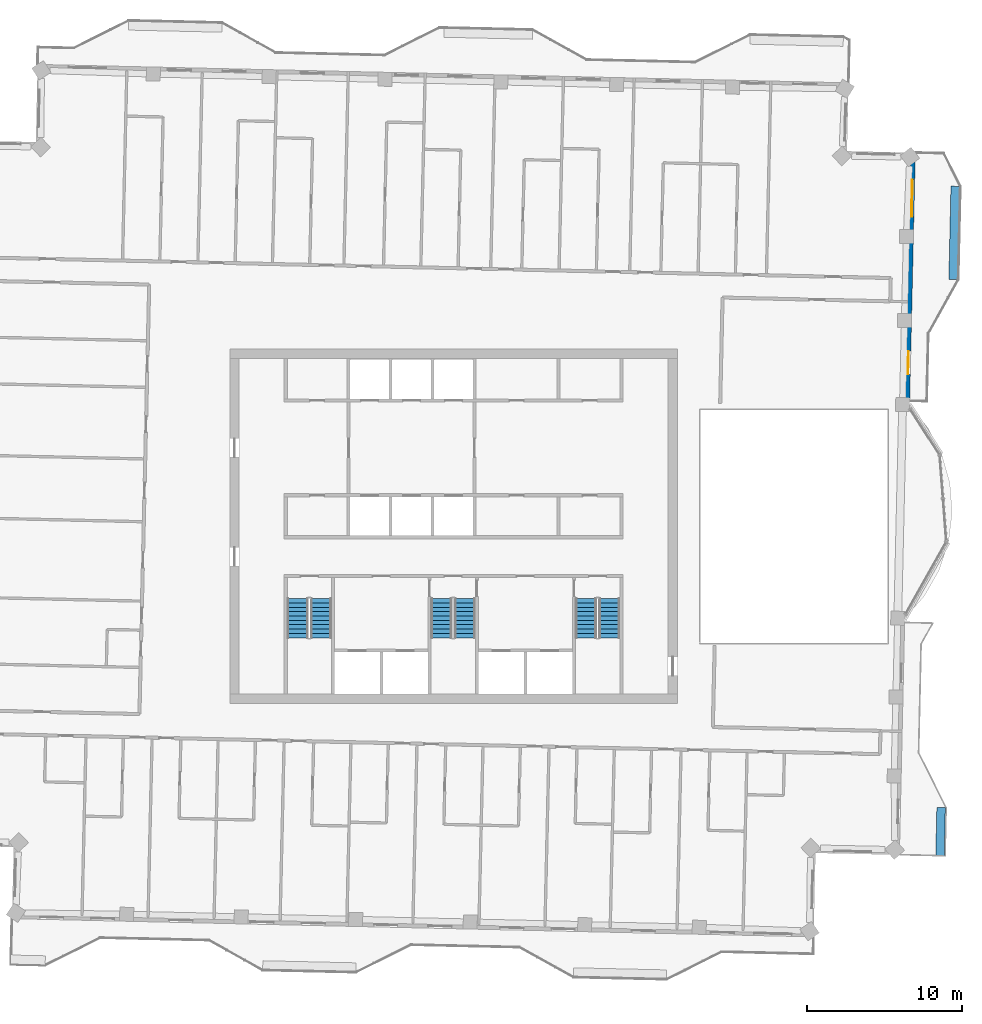
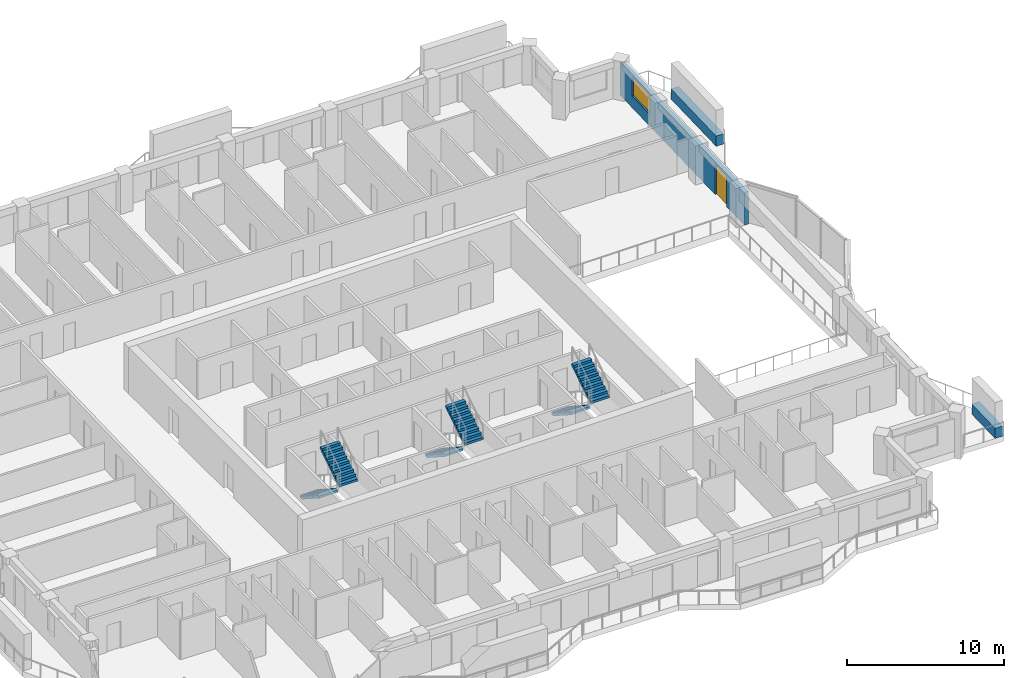
# One storey, part 11 of 15: 6 stair flights, 3 walls, 1 door, 1 window, 2 openings, 3 elements without a shape of their own.
"""IFC4 building model written with IfcOpenShell, lengths in metres."""

from ifc_helpers import new_model, si_unit, direction, frame, frame_2d, origin, place, context, subcontext, project, spatial, polyline, rectangle, outline, extrude, material, layer, layer_set, type_object, element, fill, aggregate, save


model = new_model("IFC4")

# Units and contexts
model_context = context("Model", 3, precision=1e-05, world=origin(), true_north=direction((0.0, 1.0)))
body_context = subcontext(model_context, "Body", "Model", "MODEL_VIEW")
ifc_project = project(units=[si_unit("LENGTHUNIT", "METRE"), si_unit("AREAUNIT", "SQUARE_METRE"), si_unit("VOLUMEUNIT", "CUBIC_METRE"), si_unit("PLANEANGLEUNIT", "RADIAN"), si_unit("MASSUNIT", "GRAM", prefix="KILO")], contexts=[model_context])

# Site, building, storey
site_placement = place(None, origin())
site = spatial("IfcSite", under=ifc_project, at=site_placement, CompositionType="ELEMENT")
building_placement = place(site_placement, origin())
building = spatial("IfcBuilding", under=site, at=building_placement, Name="Mangrove Gate Tower", CompositionType="ELEMENT")
storey_placement = place(building_placement, frame((0.0, 0.0, 309.699951171875)))
storey = spatial("IfcBuildingStorey", under=building, at=storey_placement, Name="L79", CompositionType="ELEMENT", Elevation=309.699951171875)

# Wall, openings, door, window
ifc_material_1 = material(Name="Limestone", Category="masonry")
ifc_layer_1 = layer(ifc_material_1, 0.0400390625, Name="Limestone cladding")
ifc_material_2 = material(Name="Ventilated air gap")
ifc_layer_2 = layer(ifc_material_2, 0.0400390625, Name="Ventilated cavity")
ifc_material_3 = material(Name="Mineral wool insulation")
ifc_layer_3 = layer(ifc_material_3, 0.06005859375, Name="Insulation")
ifc_material_4 = material(Name="Breather membrane")
ifc_layer_4 = layer(ifc_material_4, 0.001953125, Name="Breather membrane")
ifc_material_5 = material(Name="Concrete C20/25 blockwork", Category="masonry")
ifc_layer_5 = layer(ifc_material_5, 0.14990234375, Name="Blockwork backing wall")
ifc_material_6 = material(Name="Gypsum plaster")
ifc_layer_6 = layer(ifc_material_6, 0.008056640625, Name="Internal plaster")
ifc_layer_set_1 = layer_set([ifc_layer_1, ifc_layer_2, ifc_layer_3, ifc_layer_4, ifc_layer_5, ifc_layer_6], Name="External wall 300 limestone cladding")
wall_type_1 = type_object("IfcWallType", Name="External wall 300 limestone cladding", PredefinedType="SOLIDWALL", material=ifc_layer_set_1)
wall_1_placement = place(storey_placement, frame((29.18798828125, 7.37890625, 0.0), z_axis=(0.0, 0.0, 1.0), x_axis=(0.022693884957, 0.99974246063, 0.0)))
wall_1 = element("IfcWall", 1, at=wall_1_placement, inside=storey, type_object=wall_type_1, Name="WALL-L79-E2s1", PredefinedType="SOLIDWALL", context=body_context, shape_type="SweptSolid", body=[
    extrude(rectangle(XDim=16.524169921875, YDim=0.300048828125, at=frame_2d((8.26220703125, 0.0))), origin(), (0.0, 0.0, 1.0), 2.550048828125),
])
opening_1_placement = place(wall_1_placement, frame((2.404052734375, 0.0, 0.0)))
opening_1 = element("IfcOpeningElement", 2, at=opening_1_placement, cuts=wall_1, Name="Opening BD1", PredefinedType="OPENING", context=body_context, shape_type="SweptSolid", body=[
    extrude(rectangle(XDim=1.5, YDim=2.39990234375, at=frame_2d((0.75, 1.199951171875))), frame((0.0, 0.159912109375, 0.0), z_axis=(0.0, -1.0, 0.0), x_axis=(1.0, 0.0, 0.0)), (0.0, 0.0, 1.0), 0.320068359375),
])
opening_2_placement = place(wall_1_placement, frame((12.535888671875, 0.0, 0.89990234375)))
opening_2 = element("IfcOpeningElement", 3, at=opening_2_placement, cuts=wall_1, Name="Opening W2", PredefinedType="OPENING", context=body_context, shape_type="SweptSolid", body=[
    extrude(rectangle(XDim=2.39990234375, YDim=1.5, at=frame_2d((1.199951171875, 0.75))), frame((0.0, 0.159912109375, 0.0), z_axis=(0.0, -1.0, 0.0), x_axis=(1.0, 0.0, 0.0)), (0.0, 0.0, 1.0), 0.320068359375),
])
ifc_material_7 = material(Name="Aluminium frame with laminated clear glass", Category="aluminium")
door_type = type_object("IfcDoorType", Name="Balcony sliding door 1500x2400", OperationType="SLIDING_TO_LEFT", PredefinedType="DOOR", material=ifc_material_7)
door_placement = place(opening_1_placement, origin())
door = element("IfcDoor", 4, at=door_placement, inside=storey, type_object=door_type, Name="DOOR-L79-E2-1", OperationType="SLIDING_TO_LEFT", OverallHeight=2.39990234375, OverallWidth=1.5, PredefinedType="DOOR", context=body_context, shape_type="SweptSolid", body=[
    extrude(rectangle(XDim=1.5, YDim=2.39990234375, at=frame_2d((0.75, 1.199951171875))), frame((0.0, 0.02490234375, 0.0), z_axis=(0.0, -1.0, 0.0), x_axis=(1.0, 0.0, 0.0)), (0.0, 0.0, 1.0), 0.050048828125),
])
fill(opening_1, door)
ifc_material_8 = material(Name="Aluminium frame with double-glazed low-e glass", Category="aluminium")
window_type = type_object("IfcWindowType", Name="Corner room window 2400x1500", PartitioningType="DOUBLE_PANEL_VERTICAL", PredefinedType="WINDOW", material=ifc_material_8)
window_placement = place(opening_2_placement, origin())
window = element("IfcWindow", 5, at=window_placement, inside=storey, type_object=window_type, Name="WIN-L79-E2-2", OverallHeight=1.5, OverallWidth=2.39990234375, PartitioningType="DOUBLE_PANEL_VERTICAL", PredefinedType="WINDOW", context=body_context, shape_type="SweptSolid", body=[
    extrude(rectangle(XDim=2.39990234375, YDim=1.5, at=frame_2d((1.199951171875, 0.75))), frame((0.0, 0.030029296875, 0.0), z_axis=(0.0, -1.0, 0.0), x_axis=(1.0, 0.0, 0.0)), (0.0, 0.0, 1.0), 0.06005859375),
])
fill(opening_2, window)

# Walls
ifc_material_9 = material(Name="Concrete C32/40", Category="concrete")
ifc_layer_7 = layer(ifc_material_9, 0.199951171875, Name="Planter trough wall")
ifc_material_10 = material(Name="Bituminous waterproofing membrane")
ifc_layer_8 = layer(ifc_material_10, 0.0048828125, Name="Waterproofing")
ifc_material_11 = material(Name="Drainage board and gravel")
ifc_layer_9 = layer(ifc_material_11, 0.044921875, Name="Drainage layer")
ifc_material_12 = material(Name="Planting soil")
ifc_layer_10 = layer(ifc_material_12, 0.300048828125, Name="Growing medium")
ifc_layer_set_2 = layer_set([ifc_layer_7, ifc_layer_8, ifc_layer_9, ifc_layer_10], Name="Planter wall 550 C32/40")
wall_type_2 = type_object("IfcWallType", Name="Planter wall 550 C32/40", PredefinedType="USERDEFINED", material=ifc_layer_set_2)
wall_2_placement = place(storey_placement, frame((31.304931640625, -21.202880859375, 0.0), z_axis=(0.0, 0.0, 1.0), x_axis=(0.022597992408, 0.999744632763, 0.0)))
element("IfcWall", 6, at=wall_2_placement, inside=storey, type_object=wall_type_2, Name="PLANTER L79 E0.1", ObjectType="PLANTER", PredefinedType="USERDEFINED", context=body_context, shape_type="SweptSolid", body=[
    extrude(rectangle(XDim=3.1005859375, YDim=0.550048828125, at=frame_2d((1.55029296875, 0.0))), origin(), (0.0, 0.0, 1.0), 0.800048828125),
])
wall_3_placement = place(storey_placement, frame((32.14697265625, 15.887939453125, 0.0), z_axis=(0.0, 0.0, 1.0), x_axis=(0.022665943652, 0.999743094499, 0.0)))
element("IfcWall", 7, at=wall_3_placement, inside=storey, type_object=wall_type_2, Name="PLANTER L79 E1.1", ObjectType="PLANTER", PredefinedType="USERDEFINED", context=body_context, shape_type="SweptSolid", body=[
    extrude(rectangle(XDim=5.99951171875, YDim=0.550048828125, at=frame_2d((2.999755859375, 0.0))), origin(), (0.0, 0.0, 1.0), 0.800048828125),
])

# Stair, stair flights
ifc_material_13 = material(Name="Concrete C40/50", Category="concrete")
stair_type = type_object("IfcStairType", Name="Core stair 1350", PredefinedType="HALF_TURN_STAIR", material=ifc_material_13)
stair_1_placement = place(storey_placement, origin())
stair_1 = element("IfcStair", 8, at=stair_1_placement, inside=storey, type_object=stair_type, Name="L79 Stair 1", PredefinedType="HALF_TURN_STAIR")
ifc_material_14 = material(Name="Concrete C40/50", Category="concrete")
stair_flight_type = type_object("IfcStairFlightType", Name="Core stair flight 1350", PredefinedType="STRAIGHT", material=ifc_material_14)
stair_flight_1_placement = place(storey_placement, frame((-10.02490234375, -4.64990234375, 0.0), z_axis=(0.0, 0.0, 1.0), x_axis=(0.0, -1.0, 0.0)))
stair_flight_1 = element("IfcStairFlight", 9, at=stair_flight_1_placement, type_object=stair_flight_type, Name="ST1 flight 1", NumberOfRisers=10, NumberOfTreads=9, PredefinedType="STRAIGHT", RiserHeight=0.18, TreadLength=0.28, context=body_context, shape_type="SweptSolid", body=[
    extrude(outline(polyline([(0.0, 0.0), (0.0, 0.179931640625), (0.280029296875, 0.179931640625), (0.280029296875, 0.360107421875), (0.56005859375, 0.360107421875), (0.56005859375, 0.5400390625), (0.840087890625, 0.5400390625), (0.840087890625, 0.719970703125), (1.1201171875, 0.719970703125), (1.1201171875, 0.89990234375), (1.39990234375, 0.89990234375), (1.39990234375, 1.080078125), (1.679931640625, 1.080078125), (1.679931640625, 1.260009765625), (1.9599609375, 1.260009765625), (1.9599609375, 1.43994140625), (2.239990234375, 1.43994140625), (2.239990234375, 1.6201171875), (2.52001953125, 1.6201171875), (2.52001953125, 1.800048828125), (2.52001953125, 1.44189453125), (0.277099609375, 0.0), (0.0, 0.0)])), frame((0.0, 0.675048828125, 0.0), z_axis=(0.0, -1.0, 0.0), x_axis=(1.0, 0.0, 0.0)), (0.0, 0.0, 1.0), 1.35009765625),
])
stair_flight_2_placement = place(storey_placement, frame((-8.52490234375, -7.169921875, 1.800048828125), z_axis=(0.0, 0.0, 1.0), x_axis=(0.0, 1.0, 0.0)))
stair_flight_2 = element("IfcStairFlight", 10, at=stair_flight_2_placement, type_object=stair_flight_type, Name="ST1 flight 2", NumberOfRisers=10, NumberOfTreads=9, PredefinedType="STRAIGHT", RiserHeight=0.18, TreadLength=0.28, context=body_context, shape_type="SweptSolid", body=[
    extrude(outline(polyline([(0.0, 0.0), (0.0, 0.179931640625), (0.280029296875, 0.179931640625), (0.280029296875, 0.360107421875), (0.56005859375, 0.360107421875), (0.56005859375, 0.5400390625), (0.840087890625, 0.5400390625), (0.840087890625, 0.719970703125), (1.1201171875, 0.719970703125), (1.1201171875, 0.89990234375), (1.39990234375, 0.89990234375), (1.39990234375, 1.080078125), (1.679931640625, 1.080078125), (1.679931640625, 1.260009765625), (1.9599609375, 1.260009765625), (1.9599609375, 1.43994140625), (2.239990234375, 1.43994140625), (2.239990234375, 1.6201171875), (2.52001953125, 1.6201171875), (2.52001953125, 1.800048828125), (2.52001953125, 1.44189453125), (0.277099609375, 0.0), (0.0, 0.0)])), frame((0.0, 0.675048828125, 0.0), z_axis=(0.0, -1.0, 0.0), x_axis=(1.0, 0.0, 0.0)), (0.0, 0.0, 1.0), 1.35009765625),
])
aggregate(stair_1, [stair_flight_1, stair_flight_2])

stair_2_placement = place(storey_placement, origin())
stair_2 = element("IfcStair", 11, at=stair_2_placement, inside=storey, type_object=stair_type, Name="L79 Stair 2", PredefinedType="HALF_TURN_STAIR")
stair_flight_3_placement = place(storey_placement, frame((-0.77490234375, -4.64990234375, 0.0), z_axis=(0.0, 0.0, 1.0), x_axis=(0.0, -1.0, 0.0)))
stair_flight_3 = element("IfcStairFlight", 12, at=stair_flight_3_placement, type_object=stair_flight_type, Name="ST2 flight 1", NumberOfRisers=10, NumberOfTreads=9, PredefinedType="STRAIGHT", RiserHeight=0.18, TreadLength=0.28, context=body_context, shape_type="SweptSolid", body=[
    extrude(outline(polyline([(0.0, 0.0), (0.0, 0.179931640625), (0.280029296875, 0.179931640625), (0.280029296875, 0.360107421875), (0.56005859375, 0.360107421875), (0.56005859375, 0.5400390625), (0.840087890625, 0.5400390625), (0.840087890625, 0.719970703125), (1.1201171875, 0.719970703125), (1.1201171875, 0.89990234375), (1.39990234375, 0.89990234375), (1.39990234375, 1.080078125), (1.679931640625, 1.080078125), (1.679931640625, 1.260009765625), (1.9599609375, 1.260009765625), (1.9599609375, 1.43994140625), (2.239990234375, 1.43994140625), (2.239990234375, 1.6201171875), (2.52001953125, 1.6201171875), (2.52001953125, 1.800048828125), (2.52001953125, 1.44189453125), (0.277099609375, 0.0), (0.0, 0.0)])), frame((0.0, 0.675048828125, 0.0), z_axis=(0.0, -1.0, 0.0), x_axis=(1.0, 0.0, 0.0)), (0.0, 0.0, 1.0), 1.35009765625),
])
stair_flight_4_placement = place(storey_placement, frame((0.72509765625, -7.169921875, 1.800048828125), z_axis=(0.0, 0.0, 1.0), x_axis=(0.0, 1.0, 0.0)))
stair_flight_4 = element("IfcStairFlight", 13, at=stair_flight_4_placement, type_object=stair_flight_type, Name="ST2 flight 2", NumberOfRisers=10, NumberOfTreads=9, PredefinedType="STRAIGHT", RiserHeight=0.18, TreadLength=0.28, context=body_context, shape_type="SweptSolid", body=[
    extrude(outline(polyline([(0.0, 0.0), (0.0, 0.179931640625), (0.280029296875, 0.179931640625), (0.280029296875, 0.360107421875), (0.56005859375, 0.360107421875), (0.56005859375, 0.5400390625), (0.840087890625, 0.5400390625), (0.840087890625, 0.719970703125), (1.1201171875, 0.719970703125), (1.1201171875, 0.89990234375), (1.39990234375, 0.89990234375), (1.39990234375, 1.080078125), (1.679931640625, 1.080078125), (1.679931640625, 1.260009765625), (1.9599609375, 1.260009765625), (1.9599609375, 1.43994140625), (2.239990234375, 1.43994140625), (2.239990234375, 1.6201171875), (2.52001953125, 1.6201171875), (2.52001953125, 1.800048828125), (2.52001953125, 1.44189453125), (0.277099609375, 0.0), (0.0, 0.0)])), frame((0.0, 0.675048828125, 0.0), z_axis=(0.0, -1.0, 0.0), x_axis=(1.0, 0.0, 0.0)), (0.0, 0.0, 1.0), 1.35009765625),
])
aggregate(stair_2, [stair_flight_3, stair_flight_4])

stair_3_placement = place(storey_placement, origin())
stair_3 = element("IfcStair", 14, at=stair_3_placement, inside=storey, type_object=stair_type, Name="L79 Stair 3", PredefinedType="HALF_TURN_STAIR")
stair_flight_5_placement = place(storey_placement, frame((8.52490234375, -4.64990234375, 0.0), z_axis=(0.0, 0.0, 1.0), x_axis=(0.0, -1.0, 0.0)))
stair_flight_5 = element("IfcStairFlight", 15, at=stair_flight_5_placement, type_object=stair_flight_type, Name="ST3 flight 1", NumberOfRisers=10, NumberOfTreads=9, PredefinedType="STRAIGHT", RiserHeight=0.18, TreadLength=0.28, context=body_context, shape_type="SweptSolid", body=[
    extrude(outline(polyline([(0.0, 0.0), (0.0, 0.179931640625), (0.280029296875, 0.179931640625), (0.280029296875, 0.360107421875), (0.56005859375, 0.360107421875), (0.56005859375, 0.5400390625), (0.840087890625, 0.5400390625), (0.840087890625, 0.719970703125), (1.1201171875, 0.719970703125), (1.1201171875, 0.89990234375), (1.39990234375, 0.89990234375), (1.39990234375, 1.080078125), (1.679931640625, 1.080078125), (1.679931640625, 1.260009765625), (1.9599609375, 1.260009765625), (1.9599609375, 1.43994140625), (2.239990234375, 1.43994140625), (2.239990234375, 1.6201171875), (2.52001953125, 1.6201171875), (2.52001953125, 1.800048828125), (2.52001953125, 1.44189453125), (0.277099609375, 0.0), (0.0, 0.0)])), frame((0.0, 0.675048828125, 0.0), z_axis=(0.0, -1.0, 0.0), x_axis=(1.0, 0.0, 0.0)), (0.0, 0.0, 1.0), 1.35009765625),
])
stair_flight_6_placement = place(storey_placement, frame((10.02490234375, -7.169921875, 1.800048828125), z_axis=(0.0, 0.0, 1.0), x_axis=(0.0, 1.0, 0.0)))
stair_flight_6 = element("IfcStairFlight", 16, at=stair_flight_6_placement, type_object=stair_flight_type, Name="ST3 flight 2", NumberOfRisers=10, NumberOfTreads=9, PredefinedType="STRAIGHT", RiserHeight=0.18, TreadLength=0.28, context=body_context, shape_type="SweptSolid", body=[
    extrude(outline(polyline([(0.0, 0.0), (0.0, 0.179931640625), (0.280029296875, 0.179931640625), (0.280029296875, 0.360107421875), (0.56005859375, 0.360107421875), (0.56005859375, 0.5400390625), (0.840087890625, 0.5400390625), (0.840087890625, 0.719970703125), (1.1201171875, 0.719970703125), (1.1201171875, 0.89990234375), (1.39990234375, 0.89990234375), (1.39990234375, 1.080078125), (1.679931640625, 1.080078125), (1.679931640625, 1.260009765625), (1.9599609375, 1.260009765625), (1.9599609375, 1.43994140625), (2.239990234375, 1.43994140625), (2.239990234375, 1.6201171875), (2.52001953125, 1.6201171875), (2.52001953125, 1.800048828125), (2.52001953125, 1.44189453125), (0.277099609375, 0.0), (0.0, 0.0)])), frame((0.0, 0.675048828125, 0.0), z_axis=(0.0, -1.0, 0.0), x_axis=(1.0, 0.0, 0.0)), (0.0, 0.0, 1.0), 1.35009765625),
])
aggregate(stair_3, [stair_flight_5, stair_flight_6])

save(model, "model.ifc")
